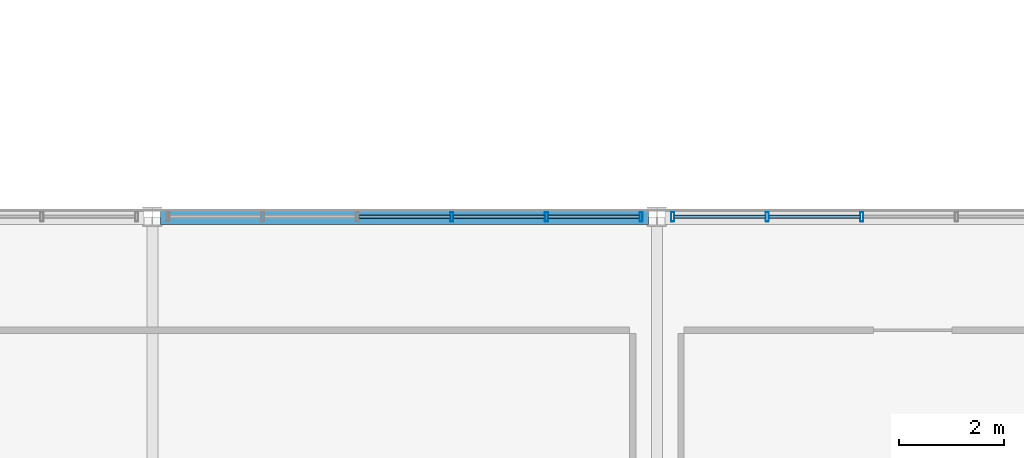
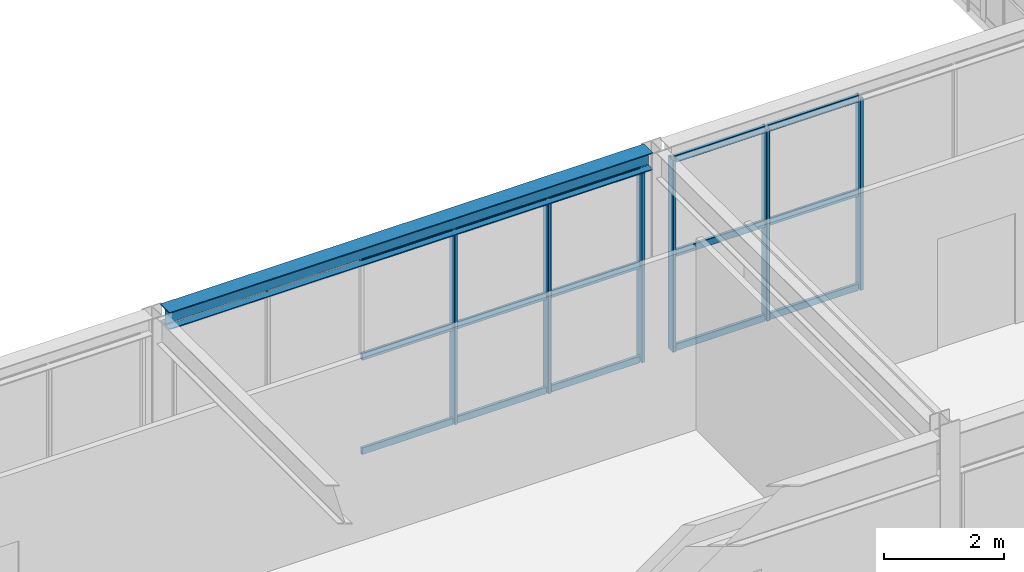
# One storey, part 78 of 170: 21 members, 1 beam, 2 elements without a shape of their own.
"""IFC4 building model written with IfcOpenShell, lengths in metres."""

from ifc_helpers import new_model, si_unit, direction, frame, origin, origin_2d, place, context, subcontext, project, spatial, hollow_rectangle, i_section, extrude, material, material_profile, profile_set, type_object, element, aggregate, save


model = new_model("IFC4")

# Units and contexts
model_context = context("Model", 3, precision=1e-05, world=origin(), true_north=direction((0.0, 1.0)))
body_context = subcontext(model_context, "Body", "Model", "MODEL_VIEW")
ifc_project = project(units=[si_unit("LENGTHUNIT", "METRE"), si_unit("AREAUNIT", "SQUARE_METRE"), si_unit("VOLUMEUNIT", "CUBIC_METRE"), si_unit("PLANEANGLEUNIT", "RADIAN"), si_unit("MASSUNIT", "GRAM", prefix="KILO")], contexts=[model_context])

# Site, building, storey
site_placement = place(None, origin())
site = spatial("IfcSite", under=ifc_project, at=site_placement, CompositionType="ELEMENT")
building_placement = place(site_placement, origin())
building = spatial("IfcBuilding", under=site, at=building_placement, Name="Coralgate Yard Interchange", CompositionType="ELEMENT")
storey_placement = place(building_placement, frame((0.0, 0.0, 6.0)))
storey = spatial("IfcBuildingStorey", under=building, at=storey_placement, Name="L01", CompositionType="ELEMENT", Elevation=6.0)

# Beam
ifc_material_1 = material(Name="Structural steel S355J2", Category="steel")
ifc_material_profile_1 = material_profile(ifc_material_1, i_section(OverallWidth=0.300048828125, OverallDepth=0.35009765625, WebThickness=0.010009765625, FlangeThickness=0.017578125, FilletRadius=0.027099609375, at=origin_2d()), Name="HEA 360")
ifc_profile_set_1 = profile_set([ifc_material_profile_1], Name="Structural steel S355J2")
beam_type = type_object("IfcBeamType", Name="BM-SP-1", PredefinedType="SPANDREL", material=ifc_profile_set_1)
beam_placement = place(storey_placement, frame((105.75634765625, 48.0, 4.074951171875), z_axis=(1.0, 0.0, 0.0), x_axis=(0.0, 1.0, 0.0)))
element("IfcBeam", 1, at=beam_placement, inside=storey, type_object=beam_type, Name="L01 primary grid beam Y5 X11-12", PredefinedType="SPANDREL", context=body_context, shape_type="SweptSolid", body=[
    extrude(i_section(OverallWidth=0.300048828125, OverallDepth=0.35009765625, WebThickness=0.010009765625, FlangeThickness=0.017578125, FilletRadius=0.027099609375, at=origin_2d()), origin(), (0.0, 0.0, 1.0), 9.287353515625),
])

# Curtain wall, members
ifc_material_2 = material(Name="Anodised coastal aluminium and solar-control low-E glass", Category="aluminium")
curtain_wall_type = type_object("IfcCurtainWallType", Name="CW-CW-L01-B", PredefinedType="NOTDEFINED", material=ifc_material_2)
curtain_wall_1_placement = place(storey_placement, origin())
curtain_wall_1 = element("IfcCurtainWall", 2, at=curtain_wall_1_placement, inside=storey, type_object=curtain_wall_type, Name="L01 unitised curtain wall CW-L01-N-11-04", PredefinedType="NOTDEFINED")
ifc_material_3 = material(Name="Anodised coastal aluminium 6063-T6", Category="aluminium")
ifc_material_profile_2 = material_profile(ifc_material_3, hollow_rectangle(XDim=0.06005859375, YDim=0.179931640625, WallThickness=0.00390625, InnerFilletRadius=0.00390625, OuterFilletRadius=0.008056640625, at=origin_2d()), Name="ALU 60x180x4")
ifc_profile_set_2 = profile_set([ifc_material_profile_2], Name="Anodised coastal aluminium 6063-T6")
member_type_1 = type_object("IfcMemberType", Name="MB-MUL-180", PredefinedType="MULLION", material=ifc_profile_set_2)
member_1_placement = place(storey_placement, frame((111.300048828125, 48.0, 0.0), z_axis=(0.0, 0.0, 1.0), x_axis=(1.0, 0.0, 0.0)))
member_1 = element("IfcMember", 3, at=member_1_placement, type_object=member_type_1, Name="CW-L01-N-11-04 vertical mullion 4", PredefinedType="MULLION", context=body_context, shape_type="SweptSolid", body=[
    extrude(hollow_rectangle(XDim=0.06005859375, YDim=0.179931640625, WallThickness=0.00390625, InnerFilletRadius=0.00390625, OuterFilletRadius=0.008056640625, at=origin_2d()), origin(), (0.0, 0.0, 1.0), 3.89990234375),
])
member_2_placement = place(storey_placement, frame((113.10009765625, 48.0, 0.0), z_axis=(0.0, 0.0, 1.0), x_axis=(1.0, 0.0, 0.0)))
member_2 = element("IfcMember", 4, at=member_2_placement, type_object=member_type_1, Name="CW-L01-N-11-04 vertical mullion 5", PredefinedType="MULLION", context=body_context, shape_type="SweptSolid", body=[
    extrude(hollow_rectangle(XDim=0.06005859375, YDim=0.179931640625, WallThickness=0.00390625, InnerFilletRadius=0.00390625, OuterFilletRadius=0.008056640625, at=origin_2d()), origin(), (0.0, 0.0, 1.0), 3.89990234375),
])
member_3_placement = place(storey_placement, frame((114.89990234375, 48.0, 0.0), z_axis=(0.0, 0.0, 1.0), x_axis=(1.0, 0.0, 0.0)))
member_3 = element("IfcMember", 5, at=member_3_placement, type_object=member_type_1, Name="CW-L01-N-11-04 vertical mullion 6", PredefinedType="MULLION", context=body_context, shape_type="SweptSolid", body=[
    extrude(hollow_rectangle(XDim=0.06005859375, YDim=0.179931640625, WallThickness=0.00390625, InnerFilletRadius=0.00390625, OuterFilletRadius=0.008056640625, at=origin_2d()), origin(), (0.0, 0.0, 1.0), 3.89990234375),
])

curtain_wall_2_placement = place(storey_placement, origin())
curtain_wall_2 = element("IfcCurtainWall", 6, at=curtain_wall_2_placement, inside=storey, type_object=curtain_wall_type, Name="L01 unitised curtain wall CW-L01-N-12-04", PredefinedType="NOTDEFINED")
member_4_placement = place(storey_placement, frame((115.5, 48.0, 0.0), z_axis=(0.0, 0.0, 1.0), x_axis=(1.0, 0.0, 0.0)))
member_4 = element("IfcMember", 7, at=member_4_placement, type_object=member_type_1, Name="CW-L01-N-12-04 vertical mullion 1", PredefinedType="MULLION", context=body_context, shape_type="SweptSolid", body=[
    extrude(hollow_rectangle(XDim=0.06005859375, YDim=0.179931640625, WallThickness=0.00390625, InnerFilletRadius=0.00390625, OuterFilletRadius=0.008056640625, at=origin_2d()), origin(), (0.0, 0.0, 1.0), 3.89990234375),
])
member_5_placement = place(storey_placement, frame((117.300048828125, 48.0, 0.0), z_axis=(0.0, 0.0, 1.0), x_axis=(1.0, 0.0, 0.0)))
member_5 = element("IfcMember", 8, at=member_5_placement, type_object=member_type_1, Name="CW-L01-N-12-04 vertical mullion 2", PredefinedType="MULLION", context=body_context, shape_type="SweptSolid", body=[
    extrude(hollow_rectangle(XDim=0.06005859375, YDim=0.179931640625, WallThickness=0.00390625, InnerFilletRadius=0.00390625, OuterFilletRadius=0.008056640625, at=origin_2d()), origin(), (0.0, 0.0, 1.0), 3.89990234375),
])
member_6_placement = place(storey_placement, frame((119.10009765625, 48.0, 0.0), z_axis=(0.0, 0.0, 1.0), x_axis=(1.0, 0.0, 0.0)))
member_6 = element("IfcMember", 9, at=member_6_placement, type_object=member_type_1, Name="CW-L01-N-12-04 vertical mullion 3", PredefinedType="MULLION", context=body_context, shape_type="SweptSolid", body=[
    extrude(hollow_rectangle(XDim=0.06005859375, YDim=0.179931640625, WallThickness=0.00390625, InnerFilletRadius=0.00390625, OuterFilletRadius=0.008056640625, at=origin_2d()), origin(), (0.0, 0.0, 1.0), 3.89990234375),
])

# Member
ifc_material_profile_3 = material_profile(ifc_material_3, hollow_rectangle(XDim=0.06005859375, YDim=0.139892578125, WallThickness=0.00341796875, InnerFilletRadius=0.00341796875, OuterFilletRadius=0.007080078125, at=origin_2d()), Name="ALU 60x140x3.5")
ifc_profile_set_3 = profile_set([ifc_material_profile_3], Name="Anodised coastal aluminium 6063-T6")
member_type_2 = type_object("IfcMemberType", Name="MB-TRN-140", PredefinedType="USERDEFINED", material=ifc_profile_set_3)
member_7_placement = place(storey_placement, frame((109.530029296875, 48.0, 0.034912109375), z_axis=(1.0, 0.0, 0.0), x_axis=(0.0, 1.0, 0.0)))
member_7 = element("IfcMember", 10, at=member_7_placement, type_object=member_type_2, Name="CW-L01-N-11-04 horizontal transom 3-1", ObjectType="TRANSOM", PredefinedType="USERDEFINED", context=body_context, shape_type="SweptSolid", body=[
    extrude(hollow_rectangle(XDim=0.06005859375, YDim=0.139892578125, WallThickness=0.00341796875, InnerFilletRadius=0.00341796875, OuterFilletRadius=0.007080078125, at=origin_2d()), origin(), (0.0, 0.0, 1.0), 1.739990234375),
])

member_8_placement = place(storey_placement, frame((109.530029296875, 48.0, 1.949951171875), z_axis=(1.0, 0.0, 0.0), x_axis=(0.0, 1.0, 0.0)))
member_8 = element("IfcMember", 11, at=member_8_placement, type_object=member_type_2, Name="CW-L01-N-11-04 horizontal transom 3-2", ObjectType="TRANSOM", PredefinedType="USERDEFINED", context=body_context, shape_type="SweptSolid", body=[
    extrude(hollow_rectangle(XDim=0.06005859375, YDim=0.139892578125, WallThickness=0.00341796875, InnerFilletRadius=0.00341796875, OuterFilletRadius=0.007080078125, at=origin_2d()), origin(), (0.0, 0.0, 1.0), 1.739990234375),
])

member_9_placement = place(storey_placement, frame((109.530029296875, 48.0, 3.864990234375), z_axis=(1.0, 0.0, 0.0), x_axis=(0.0, 1.0, 0.0)))
member_9 = element("IfcMember", 12, at=member_9_placement, type_object=member_type_2, Name="CW-L01-N-11-04 horizontal transom 3-3", ObjectType="TRANSOM", PredefinedType="USERDEFINED", context=body_context, shape_type="SweptSolid", body=[
    extrude(hollow_rectangle(XDim=0.06005859375, YDim=0.139892578125, WallThickness=0.00341796875, InnerFilletRadius=0.00341796875, OuterFilletRadius=0.007080078125, at=origin_2d()), origin(), (0.0, 0.0, 1.0), 1.739990234375),
])

member_10_placement = place(storey_placement, frame((111.330078125, 48.0, 0.034912109375), z_axis=(1.0, 0.0, 0.0), x_axis=(0.0, 1.0, 0.0)))
member_10 = element("IfcMember", 13, at=member_10_placement, type_object=member_type_2, Name="CW-L01-N-11-04 horizontal transom 4-1", ObjectType="TRANSOM", PredefinedType="USERDEFINED", context=body_context, shape_type="SweptSolid", body=[
    extrude(hollow_rectangle(XDim=0.06005859375, YDim=0.139892578125, WallThickness=0.00341796875, InnerFilletRadius=0.00341796875, OuterFilletRadius=0.007080078125, at=origin_2d()), origin(), (0.0, 0.0, 1.0), 1.739990234375),
])

member_11_placement = place(storey_placement, frame((111.330078125, 48.0, 1.949951171875), z_axis=(1.0, 0.0, 0.0), x_axis=(0.0, 1.0, 0.0)))
member_11 = element("IfcMember", 14, at=member_11_placement, type_object=member_type_2, Name="CW-L01-N-11-04 horizontal transom 4-2", ObjectType="TRANSOM", PredefinedType="USERDEFINED", context=body_context, shape_type="SweptSolid", body=[
    extrude(hollow_rectangle(XDim=0.06005859375, YDim=0.139892578125, WallThickness=0.00341796875, InnerFilletRadius=0.00341796875, OuterFilletRadius=0.007080078125, at=origin_2d()), origin(), (0.0, 0.0, 1.0), 1.739990234375),
])

member_12_placement = place(storey_placement, frame((111.330078125, 48.0, 3.864990234375), z_axis=(1.0, 0.0, 0.0), x_axis=(0.0, 1.0, 0.0)))
member_12 = element("IfcMember", 15, at=member_12_placement, type_object=member_type_2, Name="CW-L01-N-11-04 horizontal transom 4-3", ObjectType="TRANSOM", PredefinedType="USERDEFINED", context=body_context, shape_type="SweptSolid", body=[
    extrude(hollow_rectangle(XDim=0.06005859375, YDim=0.139892578125, WallThickness=0.00341796875, InnerFilletRadius=0.00341796875, OuterFilletRadius=0.007080078125, at=origin_2d()), origin(), (0.0, 0.0, 1.0), 1.739990234375),
])

member_13_placement = place(storey_placement, frame((113.1298828125, 48.0, 0.034912109375), z_axis=(1.0, 0.0, 0.0), x_axis=(0.0, 1.0, 0.0)))
member_13 = element("IfcMember", 16, at=member_13_placement, type_object=member_type_2, Name="CW-L01-N-11-04 horizontal transom 5-1", ObjectType="TRANSOM", PredefinedType="USERDEFINED", context=body_context, shape_type="SweptSolid", body=[
    extrude(hollow_rectangle(XDim=0.06005859375, YDim=0.139892578125, WallThickness=0.00341796875, InnerFilletRadius=0.00341796875, OuterFilletRadius=0.007080078125, at=origin_2d()), origin(), (0.0, 0.0, 1.0), 1.740234375),
])

member_14_placement = place(storey_placement, frame((113.1298828125, 48.0, 1.949951171875), z_axis=(1.0, 0.0, 0.0), x_axis=(0.0, 1.0, 0.0)))
member_14 = element("IfcMember", 17, at=member_14_placement, type_object=member_type_2, Name="CW-L01-N-11-04 horizontal transom 5-2", ObjectType="TRANSOM", PredefinedType="USERDEFINED", context=body_context, shape_type="SweptSolid", body=[
    extrude(hollow_rectangle(XDim=0.06005859375, YDim=0.139892578125, WallThickness=0.00341796875, InnerFilletRadius=0.00341796875, OuterFilletRadius=0.007080078125, at=origin_2d()), origin(), (0.0, 0.0, 1.0), 1.740234375),
])

member_15_placement = place(storey_placement, frame((113.1298828125, 48.0, 3.864990234375), z_axis=(1.0, 0.0, 0.0), x_axis=(0.0, 1.0, 0.0)))
member_15 = element("IfcMember", 18, at=member_15_placement, type_object=member_type_2, Name="CW-L01-N-11-04 horizontal transom 5-3", ObjectType="TRANSOM", PredefinedType="USERDEFINED", context=body_context, shape_type="SweptSolid", body=[
    extrude(hollow_rectangle(XDim=0.06005859375, YDim=0.139892578125, WallThickness=0.00341796875, InnerFilletRadius=0.00341796875, OuterFilletRadius=0.007080078125, at=origin_2d()), origin(), (0.0, 0.0, 1.0), 1.740234375),
])

aggregate(curtain_wall_1, [member_1, member_2, member_3, member_7, member_8, member_9, member_10, member_11, member_12, member_13, member_14, member_15])

member_16_placement = place(storey_placement, frame((115.530029296875, 48.0, 0.034912109375), z_axis=(1.0, 0.0, 0.0), x_axis=(0.0, 1.0, 0.0)))
member_16 = element("IfcMember", 19, at=member_16_placement, type_object=member_type_2, Name="CW-L01-N-12-04 horizontal transom 1-1", ObjectType="TRANSOM", PredefinedType="USERDEFINED", context=body_context, shape_type="SweptSolid", body=[
    extrude(hollow_rectangle(XDim=0.06005859375, YDim=0.139892578125, WallThickness=0.00341796875, InnerFilletRadius=0.00341796875, OuterFilletRadius=0.007080078125, at=origin_2d()), origin(), (0.0, 0.0, 1.0), 1.739990234375),
])

member_17_placement = place(storey_placement, frame((115.530029296875, 48.0, 1.949951171875), z_axis=(1.0, 0.0, 0.0), x_axis=(0.0, 1.0, 0.0)))
member_17 = element("IfcMember", 20, at=member_17_placement, type_object=member_type_2, Name="CW-L01-N-12-04 horizontal transom 1-2", ObjectType="TRANSOM", PredefinedType="USERDEFINED", context=body_context, shape_type="SweptSolid", body=[
    extrude(hollow_rectangle(XDim=0.06005859375, YDim=0.139892578125, WallThickness=0.00341796875, InnerFilletRadius=0.00341796875, OuterFilletRadius=0.007080078125, at=origin_2d()), origin(), (0.0, 0.0, 1.0), 1.739990234375),
])

member_18_placement = place(storey_placement, frame((115.530029296875, 48.0, 3.864990234375), z_axis=(1.0, 0.0, 0.0), x_axis=(0.0, 1.0, 0.0)))
member_18 = element("IfcMember", 21, at=member_18_placement, type_object=member_type_2, Name="CW-L01-N-12-04 horizontal transom 1-3", ObjectType="TRANSOM", PredefinedType="USERDEFINED", context=body_context, shape_type="SweptSolid", body=[
    extrude(hollow_rectangle(XDim=0.06005859375, YDim=0.139892578125, WallThickness=0.00341796875, InnerFilletRadius=0.00341796875, OuterFilletRadius=0.007080078125, at=origin_2d()), origin(), (0.0, 0.0, 1.0), 1.739990234375),
])

member_19_placement = place(storey_placement, frame((117.330078125, 48.0, 0.034912109375), z_axis=(1.0, 0.0, 0.0), x_axis=(0.0, 1.0, 0.0)))
member_19 = element("IfcMember", 22, at=member_19_placement, type_object=member_type_2, Name="CW-L01-N-12-04 horizontal transom 2-1", ObjectType="TRANSOM", PredefinedType="USERDEFINED", context=body_context, shape_type="SweptSolid", body=[
    extrude(hollow_rectangle(XDim=0.06005859375, YDim=0.139892578125, WallThickness=0.00341796875, InnerFilletRadius=0.00341796875, OuterFilletRadius=0.007080078125, at=origin_2d()), origin(), (0.0, 0.0, 1.0), 1.739990234375),
])

member_20_placement = place(storey_placement, frame((117.330078125, 48.0, 1.949951171875), z_axis=(1.0, 0.0, 0.0), x_axis=(0.0, 1.0, 0.0)))
member_20 = element("IfcMember", 23, at=member_20_placement, type_object=member_type_2, Name="CW-L01-N-12-04 horizontal transom 2-2", ObjectType="TRANSOM", PredefinedType="USERDEFINED", context=body_context, shape_type="SweptSolid", body=[
    extrude(hollow_rectangle(XDim=0.06005859375, YDim=0.139892578125, WallThickness=0.00341796875, InnerFilletRadius=0.00341796875, OuterFilletRadius=0.007080078125, at=origin_2d()), origin(), (0.0, 0.0, 1.0), 1.739990234375),
])

member_21_placement = place(storey_placement, frame((117.330078125, 48.0, 3.864990234375), z_axis=(1.0, 0.0, 0.0), x_axis=(0.0, 1.0, 0.0)))
member_21 = element("IfcMember", 24, at=member_21_placement, type_object=member_type_2, Name="CW-L01-N-12-04 horizontal transom 2-3", ObjectType="TRANSOM", PredefinedType="USERDEFINED", context=body_context, shape_type="SweptSolid", body=[
    extrude(hollow_rectangle(XDim=0.06005859375, YDim=0.139892578125, WallThickness=0.00341796875, InnerFilletRadius=0.00341796875, OuterFilletRadius=0.007080078125, at=origin_2d()), origin(), (0.0, 0.0, 1.0), 1.739990234375),
])

aggregate(curtain_wall_2, [member_4, member_5, member_6, member_16, member_17, member_18, member_19, member_20, member_21])

save(model, "model.ifc")
